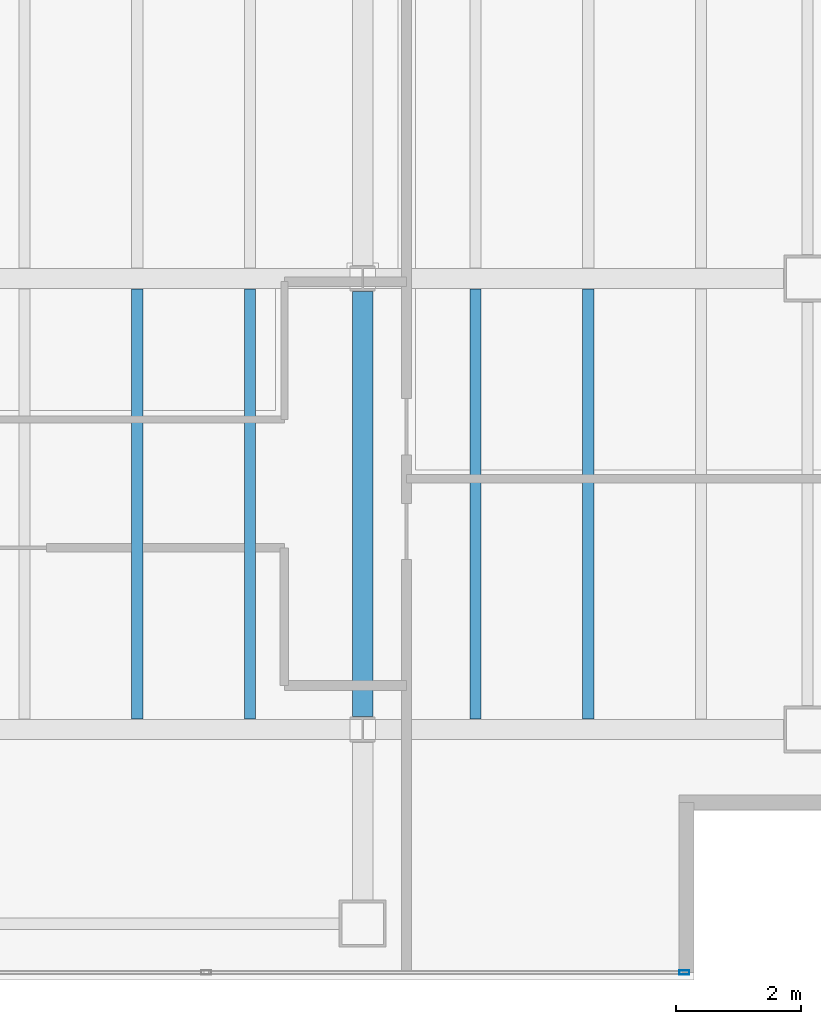
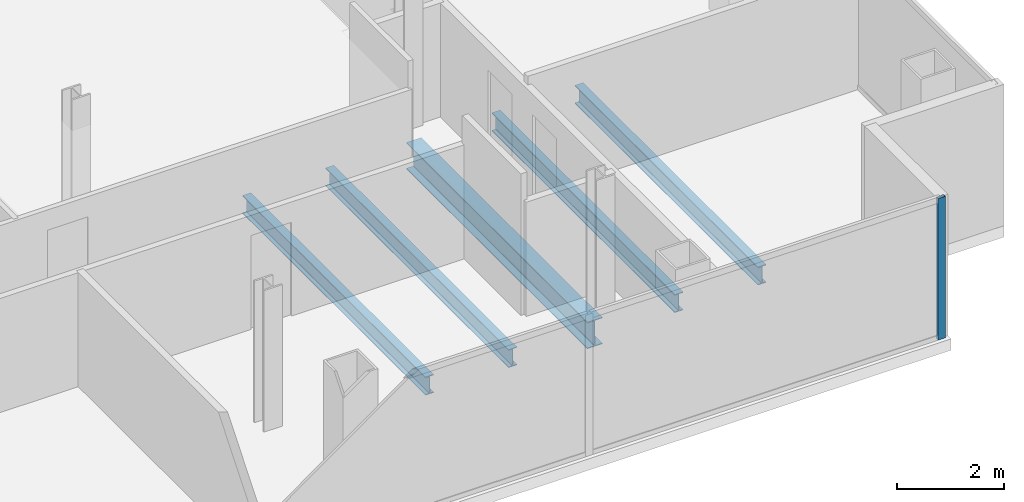
# One storey, part 11 of 23: 5 beams, 1 member, 1 element without a shape of its own.
"""IFC4 building model written with IfcOpenShell, lengths in metres."""

from ifc_helpers import new_model, si_unit, direction, frame, origin, origin_2d, place, context, subcontext, project, spatial, hollow_rectangle, i_section, extrude, material, material_profile, profile_set, type_object, element, aggregate, save


model = new_model("IFC4")

# Units and contexts
model_context = context("Model", 3, precision=1e-05, world=origin(), true_north=direction((0.0, 1.0)))
body_context = subcontext(model_context, "Body", "Model", "MODEL_VIEW")
ifc_project = project(units=[si_unit("LENGTHUNIT", "METRE"), si_unit("AREAUNIT", "SQUARE_METRE"), si_unit("VOLUMEUNIT", "CUBIC_METRE"), si_unit("PLANEANGLEUNIT", "RADIAN"), si_unit("MASSUNIT", "GRAM", prefix="KILO")], contexts=[model_context])

# Site, building, storey
site_placement = place(None, origin())
site = spatial("IfcSite", under=ifc_project, at=site_placement, CompositionType="ELEMENT")
building_placement = place(site_placement, origin())
building = spatial("IfcBuilding", under=site, at=building_placement, Name="Cobrela Telecom Tower", CompositionType="ELEMENT")
storey_placement = place(building_placement, frame((0.0, 0.0, 225.75)))
storey = spatial("IfcBuildingStorey", under=building, at=storey_placement, Name="L58", CompositionType="ELEMENT", Elevation=225.75)

# Beams
ifc_material_1 = material(Name="Steel ASTM A992 Grade 50", Category="steel")
ifc_material_profile_1 = material_profile(ifc_material_1, i_section(OverallWidth=0.324951171875, OverallDepth=0.612060546875, WebThickness=0.0126953125, FlangeThickness=0.01904296875, FilletRadius=0.014892578125, at=origin_2d()), Name="W24X104")
ifc_profile_set_1 = profile_set([ifc_material_profile_1], Name="Steel ASTM A992 Grade 50")
beam_type_1 = type_object("IfcBeamType", Name="BM-GIRD-07", PredefinedType="USERDEFINED", material=ifc_profile_set_1)
beam_placement = place(storey_placement, frame((36.0, 7.404541015625, -0.56591796875), z_axis=(0.0, 1.0, 0.0), x_axis=(-1.0, 0.0, 0.0)))
element("IfcBeam", 1, at=beam_placement, inside=storey, type_object=beam_type_1, Name="L58 Primary Girder Y40", ObjectType="GIRDER", PredefinedType="USERDEFINED", context=body_context, shape_type="SweptSolid", body=[
    extrude(i_section(OverallWidth=0.324951171875, OverallDepth=0.612060546875, WebThickness=0.0126953125, FlangeThickness=0.01904296875, FilletRadius=0.014892578125, at=origin_2d()), origin(), (0.0, 0.0, 1.0), 6.791015625),
])
ifc_material_profile_2 = material_profile(ifc_material_1, i_section(OverallWidth=0.179931640625, OverallDepth=0.4169921875, WebThickness=0.010986328125, FlangeThickness=0.01806640625, FilletRadius=0.011962890625, at=origin_2d()), Name="W16X57")
ifc_profile_set_2 = profile_set([ifc_material_profile_2], Name="Steel ASTM A992 Grade 50")
beam_type_2 = type_object("IfcBeamType", Name="BM-JOIST-04", PredefinedType="JOIST", material=ifc_profile_set_2)
for number, where, z_axis, x_axis, name in (
    (2, (32.39990234375, 7.367431640625, -0.468505859375), (0.0, 1.0, 0.0), (-1.0, 0.0, 0.0), "L58 Secondary Composite Floor Beam J21"),
    (3, (34.199951171875, 7.367431640625, -0.468505859375), (0.0, 1.0, 0.0), (-1.0, 0.0, 0.0), "L58 Secondary Composite Floor Beam J23"),
    (4, (37.800048828125, 7.367431640625, -0.468505859375), (0.0, 1.0, 0.0), (-1.0, 0.0, 0.0), "L58 Secondary Composite Floor Beam J25"),
    (5, (39.60009765625, 7.367431640625, -0.468505859375), (0.0, 1.0, 0.0), (-1.0, 0.0, 0.0), "L58 Secondary Composite Floor Beam J27"),
):
    element("IfcBeam", number, at=place(storey_placement, frame(where, z_axis=z_axis, x_axis=x_axis)), inside=storey, type_object=beam_type_2, Name=name, PredefinedType="JOIST", context=body_context, shape_type="SweptSolid", body=[
        extrude(i_section(OverallWidth=0.179931640625, OverallDepth=0.4169921875, WebThickness=0.010986328125, FlangeThickness=0.01806640625, FilletRadius=0.011962890625, at=origin_2d()), origin(), (0.0, 0.0, 1.0), 6.864990234375),
    ])

# Curtain wall, member
ifc_material_2 = material(Name="Anodized Bronze Aluminium 6063-T6", Category="aluminium")
curtain_wall_type = type_object("IfcCurtainWallType", Name="CW-SYS-OFF-LO", PredefinedType="USERDEFINED", material=ifc_material_2)
curtain_wall_placement = place(storey_placement, origin())
curtain_wall = element("IfcCurtainWall", 6, at=curtain_wall_placement, inside=storey, type_object=curtain_wall_type, Name="L58 Unitised Bronze Curtain Wall 17", ObjectType="UNITISED CURTAIN WALL", PredefinedType="USERDEFINED")
ifc_material_profile_3 = material_profile(ifc_material_2, hollow_rectangle(XDim=0.070068359375, YDim=0.159912109375, WallThickness=0.00390625, at=origin_2d()), Name="ALU 70x160x4")
ifc_profile_set_3 = profile_set([ifc_material_profile_3], Name="Anodized Bronze Aluminium 6063-T6")
member_type = type_object("IfcMemberType", Name="CW-SYS-OFF-LO-MUL", PredefinedType="MULLION", material=ifc_profile_set_3)
member_placement = place(storey_placement, frame((41.135009765625, 3.320068359375, 0.0), z_axis=(0.0, 0.0, 1.0), x_axis=(0.0, -1.0, 0.0)))
member = element("IfcMember", 7, at=member_placement, type_object=member_type, Name="CW-OFF-LO mullion 1", PredefinedType="MULLION", context=body_context, shape_type="SweptSolid", body=[
    extrude(hollow_rectangle(XDim=0.070068359375, YDim=0.159912109375, WallThickness=0.00390625, at=origin_2d()), origin(), (0.0, 0.0, 1.0), 3.239990234375),
])
aggregate(curtain_wall, [member])

save(model, "model.ifc")
